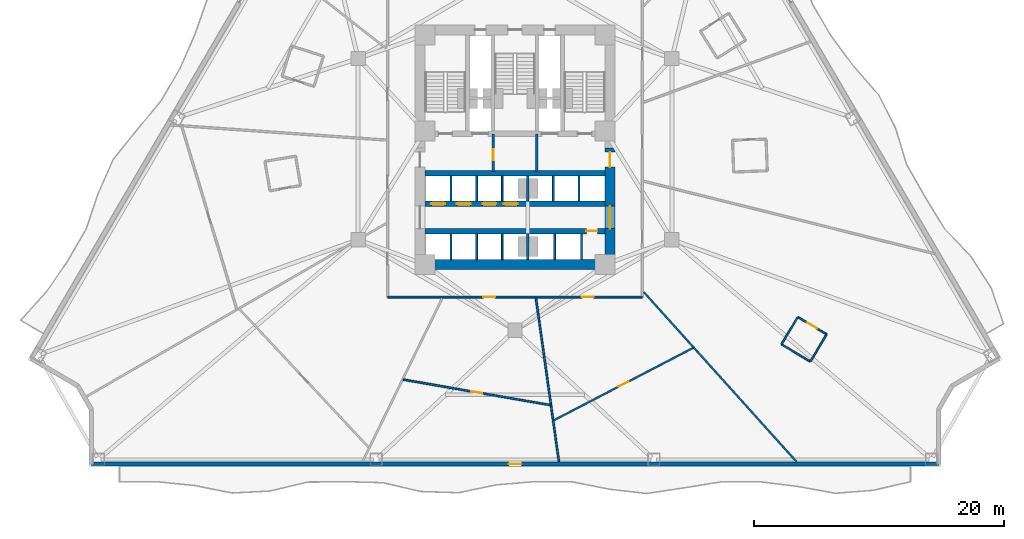
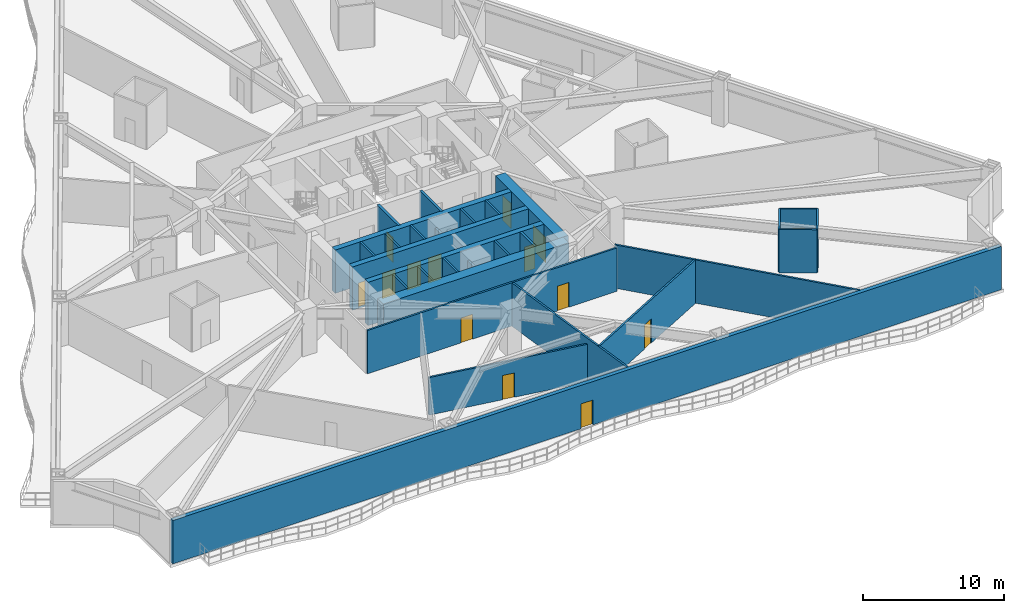
# One storey, part 4 of 12: 29 walls, 14 doors, 14 openings.
"""IFC4 building model written with IfcOpenShell, lengths in metres."""

from ifc_helpers import new_model, si_unit, direction, frame, frame_2d, origin, place, context, subcontext, project, spatial, rectangle, extrude, material, layer, layer_set, type_object, element, fill, save


model = new_model("IFC4")

# Units and contexts
model_context = context("Model", 3, precision=1e-05, world=origin(), true_north=direction((0.0, 1.0)))
body_context = subcontext(model_context, "Body", "Model", "MODEL_VIEW")
ifc_project = project(units=[si_unit("LENGTHUNIT", "METRE"), si_unit("AREAUNIT", "SQUARE_METRE"), si_unit("VOLUMEUNIT", "CUBIC_METRE"), si_unit("PLANEANGLEUNIT", "RADIAN"), si_unit("MASSUNIT", "GRAM", prefix="KILO")], contexts=[model_context])

# Site, building, storey
site_placement = place(None, origin())
site = spatial("IfcSite", under=ifc_project, at=site_placement, CompositionType="ELEMENT")
building_placement = place(site_placement, origin())
building = spatial("IfcBuilding", under=site, at=building_placement, Name="Apsidion Concourse Tower", CompositionType="ELEMENT")
storey_placement = place(building_placement, frame((0.0, 0.0, 50.39990234375)))
storey = spatial("IfcBuildingStorey", under=building, at=storey_placement, Name="L10", CompositionType="ELEMENT", Elevation=50.39990234375)

# Wall, opening, door
ifc_material_1 = material(Name="Precast concrete C40/50", Category="concrete")
ifc_layer_1 = layer(ifc_material_1, 0.320068359375)
ifc_layer_set_1 = layer_set([ifc_layer_1], Name="Precast concrete C40/50")
wall_type_1 = type_object("IfcWallType", Name="WL-EXT-320", PredefinedType="STANDARD", material=ifc_layer_set_1)
wall_1_placement = place(storey_placement, frame((33.88818359375, -25.199951171875, 0.0), z_axis=(0.0, 0.0, 1.0), x_axis=(-1.0, 0.0, 0.0)))
wall_1 = element("IfcWall", 1, at=wall_1_placement, inside=storey, type_object=wall_type_1, Name="L10 Precast Stone Facade Wall 05", PredefinedType="STANDARD", context=body_context, shape_type="SweptSolid", body=[
    extrude(rectangle(XDim=67.7763671875, YDim=0.320068359375, at=frame_2d((33.88818359375, 0.0))), origin(), (0.0, 0.0, 1.0), 3.75),
])
opening_1_placement = place(wall_1_placement, frame((33.38818359375, 0.0, 0.0)))
opening_1 = element("IfcOpeningElement", 2, at=opening_1_placement, cuts=wall_1, Name="Opening D-T1R", PredefinedType="OPENING", context=body_context, shape_type="SweptSolid", body=[
    extrude(rectangle(XDim=1.0, YDim=2.14990234375, at=frame_2d((0.5, 1.074951171875))), frame((0.0, 0.169921875, 0.0), z_axis=(0.0, -1.0, 0.0), x_axis=(1.0, 0.0, 0.0)), (0.0, 0.0, 1.0), 0.340087890625),
])
ifc_material_2 = material(Name="Anodised aluminium EN AW-6063 T6", Category="aluminium")
door_type_1 = type_object("IfcDoorType", Name="DR-TER-1022R", OperationType="SINGLE_SWING_RIGHT", PredefinedType="DOOR", material=ifc_material_2)
door_1_placement = place(opening_1_placement, origin())
door_1 = element("IfcDoor", 3, at=door_1_placement, inside=storey, type_object=door_type_1, Name="L10 Balcony Access Door 2", OperationType="SINGLE_SWING_RIGHT", OverallHeight=2.14990234375, OverallWidth=1.0, PredefinedType="DOOR", context=body_context, shape_type="SweptSolid", body=[
    extrude(rectangle(XDim=1.0, YDim=2.14990234375, at=frame_2d((0.5, 1.074951171875))), frame((0.0, 0.02490234375, 0.0), z_axis=(0.0, -1.0, 0.0), x_axis=(1.0, 0.0, 0.0)), (0.0, 0.0, 1.0), 0.050048828125),
])
fill(opening_1, door_1)

# Walls
ifc_material_3 = material(Name="Gypsum plasterboard partition")
ifc_layer_2 = layer(ifc_material_3, 0.139892578125)
ifc_layer_set_2 = layer_set([ifc_layer_2], Name="Gypsum plasterboard partition")
wall_type_2 = type_object("IfcWallType", Name="WL-INT-PAR-140", PredefinedType="PARTITIONING", material=ifc_layer_set_2)
wall_2_placement = place(storey_placement, frame((21.3369140625, -15.629150390625, 0.0), z_axis=(0.0, 0.0, 1.0), x_axis=(0.858092929116, -0.513494425482, 0.0)))
element("IfcWall", 4, at=wall_2_placement, inside=storey, type_object=wall_type_2, Name="L10 Interior Partition WL-L10-POD-ENS04-S1", PredefinedType="PARTITIONING", context=body_context, shape_type="SweptSolid", body=[
    extrude(rectangle(XDim=2.690185546875, YDim=0.139892578125, at=frame_2d((1.34521484375, 0.0))), origin(), (0.0, 0.0, 1.0), 3.75),
])
wall_3_placement = place(storey_placement, frame((23.645263671875, -17.010498046875, 0.0), z_axis=(0.0, 0.0, 1.0), x_axis=(0.51356253356, 0.858052168649, 0.0)))
element("IfcWall", 5, at=wall_3_placement, inside=storey, type_object=wall_type_2, Name="L10 Interior Partition WL-L10-POD-ENS04-S2", PredefinedType="PARTITIONING", context=body_context, shape_type="SweptSolid", body=[
    extrude(rectangle(XDim=2.5400390625, YDim=0.139892578125, at=frame_2d((1.27001953125, 0.0))), origin(), (0.0, 0.0, 1.0), 3.75),
])

# Wall, opening, door
wall_4_placement = place(storey_placement, frame((24.94970703125, -14.8310546875, 0.0), z_axis=(0.0, 0.0, 1.0), x_axis=(-0.858092929116, 0.513494425482, 0.0)))
wall_4 = element("IfcWall", 6, at=wall_4_placement, inside=storey, type_object=wall_type_2, Name="L10 Interior Partition WL-L10-POD-ENS04-S3", PredefinedType="PARTITIONING", context=body_context, shape_type="SweptSolid", body=[
    extrude(rectangle(XDim=2.690185546875, YDim=0.139892578125, at=frame_2d((1.34521484375, 0.0))), origin(), (0.0, 0.0, 1.0), 3.75),
])
opening_2_placement = place(wall_4_placement, frame((0.905029296875, 0.0, 0.0)))
opening_2 = element("IfcOpeningElement", 7, at=opening_2_placement, cuts=wall_4, Name="Opening D-03L", PredefinedType="OPENING", context=body_context, shape_type="SweptSolid", body=[
    extrude(rectangle(XDim=0.8798828125, YDim=2.10009765625, at=frame_2d((0.43994140625, 1.050048828125))), frame((0.0, 0.080078125, 0.0), z_axis=(0.0, -1.0, 0.0), x_axis=(1.0, 0.0, 0.0)), (0.0, 0.0, 1.0), 0.159912109375),
])
door_type_2 = type_object("IfcDoorType", Name="DR-INT-D03L", OperationType="SINGLE_SWING_LEFT", PredefinedType="DOOR", material=ifc_material_2)
door_2_placement = place(opening_2_placement, origin())
door_2 = element("IfcDoor", 8, at=door_2_placement, inside=storey, type_object=door_type_2, Name="L10 Guest En-Suite Bathroom Door ENS04", OperationType="SINGLE_SWING_LEFT", OverallHeight=2.10009765625, OverallWidth=0.8798828125, PredefinedType="DOOR", context=body_context, shape_type="SweptSolid", body=[
    extrude(rectangle(XDim=0.8798828125, YDim=2.10009765625, at=frame_2d((0.43994140625, 1.050048828125))), frame((0.0, 0.02490234375, 0.0), z_axis=(0.0, -1.0, 0.0), x_axis=(1.0, 0.0, 0.0)), (0.0, 0.0, 1.0), 0.050048828125),
])
fill(opening_2, door_2)

# Walls
wall_5_placement = place(storey_placement, frame((22.641357421875, -13.44970703125, 0.0), z_axis=(0.0, 0.0, 1.0), x_axis=(-0.51356253356, -0.858052168649, 0.0)))
element("IfcWall", 9, at=wall_5_placement, inside=storey, type_object=wall_type_2, Name="L10 Interior Partition WL-L10-POD-ENS04-S4", PredefinedType="PARTITIONING", context=body_context, shape_type="SweptSolid", body=[
    extrude(rectangle(XDim=2.5400390625, YDim=0.139892578125, at=frame_2d((1.27001953125, 0.0))), origin(), (0.0, 0.0, 1.0), 3.75),
])
ifc_layer_3 = layer(ifc_material_3, 0.14990234375)
ifc_layer_set_3 = layer_set([ifc_layer_3], Name="Gypsum plasterboard partition")
wall_type_3 = type_object("IfcWallType", Name="WL-INT-PAR-150", PredefinedType="PARTITIONING", material=ifc_layer_set_3)
for number, where, z_axis, x_axis, name in (
    (10, (-5.125, -4.179931640625, 0.0), (0.0, 0.0, 1.0), (0.0, 1.0, 0.0), "L10 Interior Partition WL-L10-B1DIV-1"),
    (11, (-3.074951171875, -4.179931640625, 0.0), (0.0, 0.0, 1.0), (0.0, 1.0, 0.0), "L10 Interior Partition WL-L10-B1DIV-2"),
    (12, (-1.02490234375, -4.179931640625, 0.0), (0.0, 0.0, 1.0), (0.0, 1.0, 0.0), "L10 Interior Partition WL-L10-B1DIV-3"),
    (13, (3.074951171875, -4.179931640625, 0.0), (0.0, 0.0, 1.0), (0.0, 1.0, 0.0), "L10 Interior Partition WL-L10-B3DIV-1"),
    (14, (5.125, -4.179931640625, 0.0), (0.0, 0.0, 1.0), (0.0, 1.0, 0.0), "L10 Interior Partition WL-L10-B3DIV-2"),
):
    element("IfcWall", number, at=place(storey_placement, frame(where, z_axis=z_axis, x_axis=x_axis)), inside=storey, type_object=wall_type_3, Name=name, PredefinedType="PARTITIONING", context=body_context, shape_type="SweptSolid", body=[
        extrude(rectangle(XDim=2.030029296875, YDim=0.14990234375, at=frame_2d((1.01513671875, 0.0))), origin(), (0.0, 0.0, 1.0), 3.75),
    ])
for number, where, z_axis, x_axis, name in (
    (15, (-5.125, -8.85009765625, 0.0), (0.0, 0.0, 1.0), (0.0, 1.0, 0.0), "L10 Interior Partition WL-L10-B2DIV-1"),
    (16, (-3.074951171875, -8.85009765625, 0.0), (0.0, 0.0, 1.0), (0.0, 1.0, 0.0), "L10 Interior Partition WL-L10-B2DIV-2"),
    (17, (-1.02490234375, -8.85009765625, 0.0), (0.0, 0.0, 1.0), (0.0, 1.0, 0.0), "L10 Interior Partition WL-L10-B2DIV-3"),
    (18, (3.175048828125, -8.85009765625, 0.0), (0.0, 0.0, 1.0), (0.0, 1.0, 0.0), "L10 Interior Partition WL-L10-SHDIV-1"),
):
    element("IfcWall", number, at=place(storey_placement, frame(where, z_axis=z_axis, x_axis=x_axis)), inside=storey, type_object=wall_type_3, Name=name, PredefinedType="PARTITIONING", context=body_context, shape_type="SweptSolid", body=[
        extrude(rectangle(XDim=2.080078125, YDim=0.14990234375, at=frame_2d((1.0400390625, 0.0))), origin(), (0.0, 0.0, 1.0), 3.75),
    ])

# Wall, openings, doors
wall_6_placement = place(storey_placement, frame((10.199951171875, -11.85009765625, 0.0), z_axis=(0.0, 0.0, 1.0), x_axis=(-1.0, 0.0, 0.0)))
wall_6 = element("IfcWall", 19, at=wall_6_placement, inside=storey, type_object=wall_type_3, Name="L10 Interior Partition WL-L10-CORR-03", PredefinedType="PARTITIONING", context=body_context, shape_type="SweptSolid", body=[
    extrude(rectangle(XDim=20.39990234375, YDim=0.14990234375, at=frame_2d((10.199951171875, 0.0))), origin(), (0.0, 0.0, 1.0), 3.75),
])
opening_3_placement = place(wall_6_placement, frame((11.795654296875, 0.0, 0.0)))
opening_3 = element("IfcOpeningElement", 20, at=opening_3_placement, cuts=wall_6, Name="Opening D-01L", PredefinedType="OPENING", context=body_context, shape_type="SweptSolid", body=[
    extrude(rectangle(XDim=0.949951171875, YDim=2.14990234375, at=frame_2d((0.47509765625, 1.074951171875))), frame((0.0, 0.0849609375, 0.0), z_axis=(0.0, -1.0, 0.0), x_axis=(1.0, 0.0, 0.0)), (0.0, 0.0, 1.0), 0.169921875),
])
opening_4_placement = place(wall_6_placement, frame((3.9130859375, 0.0, 0.0)))
opening_4 = element("IfcOpeningElement", 21, at=opening_4_placement, cuts=wall_6, Name="Opening D-01R", PredefinedType="OPENING", context=body_context, shape_type="SweptSolid", body=[
    extrude(rectangle(XDim=0.949951171875, YDim=2.14990234375, at=frame_2d((0.47509765625, 1.074951171875))), frame((0.0, 0.0849609375, 0.0), z_axis=(0.0, -1.0, 0.0), x_axis=(1.0, 0.0, 0.0)), (0.0, 0.0, 1.0), 0.169921875),
])
ifc_material_4 = material(Name="Brushed stainless steel 316", Category="steel")
door_type_3 = type_object("IfcDoorType", Name="DR-INT-D01L", OperationType="SINGLE_SWING_LEFT", PredefinedType="DOOR", material=ifc_material_4)
door_3_placement = place(opening_3_placement, origin())
door_3 = element("IfcDoor", 22, at=door_3_placement, inside=storey, type_object=door_type_3, Name="L10 Corridor Entry Door 03", OperationType="SINGLE_SWING_LEFT", OverallHeight=2.14990234375, OverallWidth=0.949951171875, PredefinedType="DOOR", context=body_context, shape_type="SweptSolid", body=[
    extrude(rectangle(XDim=0.949951171875, YDim=2.14990234375, at=frame_2d((0.47509765625, 1.074951171875))), frame((0.0, 0.02490234375, 0.0), z_axis=(0.0, -1.0, 0.0), x_axis=(1.0, 0.0, 0.0)), (0.0, 0.0, 1.0), 0.050048828125),
])
fill(opening_3, door_3)
door_type_4 = type_object("IfcDoorType", Name="DR-INT-D01R", OperationType="SINGLE_SWING_RIGHT", PredefinedType="DOOR", material=ifc_material_4)
door_4_placement = place(opening_4_placement, origin())
door_4 = element("IfcDoor", 23, at=door_4_placement, inside=storey, type_object=door_type_4, Name="L10 Corridor Entry Door 04", OperationType="SINGLE_SWING_RIGHT", OverallHeight=2.14990234375, OverallWidth=0.949951171875, PredefinedType="DOOR", context=body_context, shape_type="SweptSolid", body=[
    extrude(rectangle(XDim=0.949951171875, YDim=2.14990234375, at=frame_2d((0.47509765625, 1.074951171875))), frame((0.0, 0.02490234375, 0.0), z_axis=(0.0, -1.0, 0.0), x_axis=(1.0, 0.0, 0.0)), (0.0, 0.0, 1.0), 0.050048828125),
])
fill(opening_4, door_4)

# Walls
wall_7_placement = place(storey_placement, frame((1.68017578125, -11.955078125, 0.0), z_axis=(0.0, 0.0, 1.0), x_axis=(0.139178306215, -0.990267337177, 0.0)))
element("IfcWall", 24, at=wall_7_placement, inside=storey, type_object=wall_type_3, Name="L10 Interior Partition WL-L10-RAD-09-1", PredefinedType="PARTITIONING", context=body_context, shape_type="SweptSolid", body=[
    extrude(rectangle(XDim=13.1982421875, YDim=0.14990234375, at=frame_2d((6.59912109375, 0.0))), origin(), (0.0, 0.0, 1.0), 3.75),
])
wall_8_placement = place(storey_placement, frame((10.304931640625, -11.44482421875, 0.0), z_axis=(0.0, 0.0, 1.0), x_axis=(0.669137434477, -0.743138677355, 0.0)))
element("IfcWall", 25, at=wall_8_placement, inside=storey, type_object=wall_type_3, Name="L10 Interior Partition WL-L10-RAD-10-1", PredefinedType="PARTITIONING", context=body_context, shape_type="SweptSolid", body=[
    extrude(rectangle(XDim=18.27392578125, YDim=0.14990234375, at=frame_2d((9.136962890625, 0.0))), origin(), (0.0, 0.0, 1.0), 3.75),
])

# Wall, opening, door
wall_9_placement = place(storey_placement, frame((-8.97216796875, -18.45263671875, 0.0), z_axis=(0.0, 0.0, 1.0), x_axis=(0.985300581804, -0.170829632957, 0.0)))
wall_9 = element("IfcWall", 26, at=wall_9_placement, inside=storey, type_object=wall_type_3, Name="L10 Interior Partition WL-L10-CHD-HXS02", PredefinedType="PARTITIONING", context=body_context, shape_type="SweptSolid", body=[
    extrude(rectangle(XDim=12.0048828125, YDim=0.14990234375, at=frame_2d((6.00244140625, 0.0))), origin(), (0.0, 0.0, 1.0), 3.254150390625),
])
opening_5_placement = place(wall_9_placement, frame((5.552490234375, 0.0, 0.0)))
opening_5 = element("IfcOpeningElement", 27, at=opening_5_placement, cuts=wall_9, Name="Opening D-02R", PredefinedType="OPENING", context=body_context, shape_type="SweptSolid", body=[
    extrude(rectangle(XDim=0.89990234375, YDim=2.10009765625, at=frame_2d((0.449951171875, 1.050048828125))), frame((0.0, 0.0849609375, 0.0), z_axis=(0.0, -1.0, 0.0), x_axis=(1.0, 0.0, 0.0)), (0.0, 0.0, 1.0), 0.169921875),
])
door_type_5 = type_object("IfcDoorType", Name="DR-INT-D02R", OperationType="SINGLE_SWING_RIGHT", PredefinedType="DOOR", material=ifc_material_2)
door_5_placement = place(opening_5_placement, origin())
door_5 = element("IfcDoor", 28, at=door_5_placement, inside=storey, type_object=door_type_5, Name="L10 Suite Connecting Door HXS02", OperationType="SINGLE_SWING_RIGHT", OverallHeight=2.10009765625, OverallWidth=0.89990234375, PredefinedType="DOOR", context=body_context, shape_type="SweptSolid", body=[
    extrude(rectangle(XDim=0.89990234375, YDim=2.10009765625, at=frame_2d((0.449951171875, 1.050048828125))), frame((0.0, 0.02490234375, 0.0), z_axis=(0.0, -1.0, 0.0), x_axis=(1.0, 0.0, 0.0)), (0.0, 0.0, 1.0), 0.050048828125),
])
fill(opening_5, door_5)

wall_10_placement = place(storey_placement, frame((3.079345703125, -21.731689453125, 0.0), z_axis=(0.0, 0.0, 1.0), x_axis=(0.887285458414, 0.461220679596, 0.0)))
wall_10 = element("IfcWall", 29, at=wall_10_placement, inside=storey, type_object=wall_type_3, Name="L10 Interior Partition WL-L10-CHD-HXS03", PredefinedType="PARTITIONING", context=body_context, shape_type="SweptSolid", body=[
    extrude(rectangle(XDim=12.632080078125, YDim=0.14990234375, at=frame_2d((6.31591796875, 0.0))), origin(), (0.0, 0.0, 1.0), 3.75),
])
opening_6_placement = place(wall_10_placement, frame((5.865966796875, 0.0, 0.0)))
opening_6 = element("IfcOpeningElement", 30, at=opening_6_placement, cuts=wall_10, Name="Opening D-02L", PredefinedType="OPENING", context=body_context, shape_type="SweptSolid", body=[
    extrude(rectangle(XDim=0.89990234375, YDim=2.10009765625, at=frame_2d((0.449951171875, 1.050048828125))), frame((0.0, 0.0849609375, 0.0), z_axis=(0.0, -1.0, 0.0), x_axis=(1.0, 0.0, 0.0)), (0.0, 0.0, 1.0), 0.169921875),
])
door_type_6 = type_object("IfcDoorType", Name="DR-INT-D02L", OperationType="SINGLE_SWING_LEFT", PredefinedType="DOOR", material=ifc_material_2)
door_6_placement = place(opening_6_placement, origin())
door_6 = element("IfcDoor", 31, at=door_6_placement, inside=storey, type_object=door_type_6, Name="L10 Suite Connecting Door HXS03", OperationType="SINGLE_SWING_LEFT", OverallHeight=2.10009765625, OverallWidth=0.89990234375, PredefinedType="DOOR", context=body_context, shape_type="SweptSolid", body=[
    extrude(rectangle(XDim=0.89990234375, YDim=2.10009765625, at=frame_2d((0.449951171875, 1.050048828125))), frame((0.0, 0.02490234375, 0.0), z_axis=(0.0, -1.0, 0.0), x_axis=(1.0, 0.0, 0.0)), (0.0, 0.0, 1.0), 0.050048828125),
])
fill(opening_6, door_6)

# Walls
ifc_layer_4 = layer(ifc_material_3, 0.179931640625)
ifc_layer_set_4 = layer_set([ifc_layer_4], Name="Gypsum plasterboard partition")
wall_type_4 = type_object("IfcWallType", Name="WL-INT-PAR-180", PredefinedType="PARTITIONING", material=ifc_layer_set_4)
wall_11_placement = place(storey_placement, frame((1.02490234375, -4.179931640625, 0.0), z_axis=(0.0, 0.0, 1.0), x_axis=(0.0, 1.0, 0.0)))
element("IfcWall", 32, at=wall_11_placement, inside=storey, type_object=wall_type_4, Name="L10 Interior Partition WL-L10-B1END", PredefinedType="PARTITIONING", context=body_context, shape_type="SweptSolid", body=[
    extrude(rectangle(XDim=2.030029296875, YDim=0.179931640625, at=frame_2d((1.01513671875, 0.0))), origin(), (0.0, 0.0, 1.0), 2.798095703125),
])
wall_12_placement = place(storey_placement, frame((1.02490234375, -8.85009765625, 0.0), z_axis=(0.0, 0.0, 1.0), x_axis=(0.0, 1.0, 0.0)))
element("IfcWall", 33, at=wall_12_placement, inside=storey, type_object=wall_type_4, Name="L10 Interior Partition WL-L10-B2END", PredefinedType="PARTITIONING", context=body_context, shape_type="SweptSolid", body=[
    extrude(rectangle(XDim=2.080078125, YDim=0.179931640625, at=frame_2d((1.0400390625, 0.0))), origin(), (0.0, 0.0, 1.0), 2.798095703125),
])
wall_13_placement = place(storey_placement, frame((5.324951171875, -8.85009765625, 0.0), z_axis=(0.0, 0.0, 1.0), x_axis=(0.0, 1.0, 0.0)))
element("IfcWall", 34, at=wall_13_placement, inside=storey, type_object=wall_type_4, Name="L10 Interior Partition WL-L10-SHDIV-2", PredefinedType="PARTITIONING", context=body_context, shape_type="SweptSolid", body=[
    extrude(rectangle(XDim=2.080078125, YDim=0.179931640625, at=frame_2d((1.0400390625, 0.0))), origin(), (0.0, 0.0, 1.0), 3.75),
])

# Wall, opening, door
ifc_layer_5 = layer(ifc_material_3, 0.199951171875)
ifc_layer_set_5 = layer_set([ifc_layer_5], Name="Gypsum plasterboard partition")
wall_type_5 = type_object("IfcWallType", Name="WL-INT-PAR-200", PredefinedType="PARTITIONING", material=ifc_layer_set_5)
wall_14_placement = place(storey_placement, frame((-1.739990234375, -1.780029296875, 0.0), z_axis=(0.0, 0.0, 1.0), x_axis=(0.0, 1.0, 0.0)))
wall_14 = element("IfcWall", 35, at=wall_14_placement, inside=storey, type_object=wall_type_5, Name="L10 Interior Partition WL-L10-FF1-E", PredefinedType="PARTITIONING", context=body_context, shape_type="SweptSolid", body=[
    extrude(rectangle(XDim=2.97998046875, YDim=0.199951171875, at=frame_2d((1.489990234375, 0.0))), origin(), (0.0, 0.0, 1.0), 3.75),
])
opening_7_placement = place(wall_14_placement, frame((0.889892578125, 0.0, 0.0)))
opening_7 = element("IfcOpeningElement", 36, at=opening_7_placement, cuts=wall_14, Name="Opening D-05R", PredefinedType="OPENING", context=body_context, shape_type="SweptSolid", body=[
    extrude(rectangle(XDim=0.8798828125, YDim=2.14990234375, at=frame_2d((0.43994140625, 1.074951171875))), frame((0.0, 0.10986328125, 0.0), z_axis=(0.0, -1.0, 0.0), x_axis=(1.0, 0.0, 0.0)), (0.0, 0.0, 1.0), 0.219970703125),
])
door_type_7 = type_object("IfcDoorType", Name="DR-INT-D05R", OperationType="SINGLE_SWING_RIGHT", PredefinedType="DOOR", material=ifc_material_4)
door_7_placement = place(opening_7_placement, origin())
door_7 = element("IfcDoor", 37, at=door_7_placement, inside=storey, type_object=door_type_7, Name="L10 Core BMS Door", OperationType="SINGLE_SWING_RIGHT", OverallHeight=2.14990234375, OverallWidth=0.8798828125, PredefinedType="DOOR", context=body_context, shape_type="SweptSolid", body=[
    extrude(rectangle(XDim=0.8798828125, YDim=2.14990234375, at=frame_2d((0.43994140625, 1.074951171875))), frame((0.0, 0.02490234375, 0.0), z_axis=(0.0, -1.0, 0.0), x_axis=(1.0, 0.0, 0.0)), (0.0, 0.0, 1.0), 0.050048828125),
])
fill(opening_7, door_7)

# Walls
wall_15_placement = place(storey_placement, frame((1.739990234375, -1.780029296875, 0.0), z_axis=(0.0, 0.0, 1.0), x_axis=(0.0, 1.0, 0.0)))
element("IfcWall", 38, at=wall_15_placement, inside=storey, type_object=wall_type_5, Name="L10 Interior Partition WL-L10-FF2-W", PredefinedType="PARTITIONING", context=body_context, shape_type="SweptSolid", body=[
    extrude(rectangle(XDim=2.97998046875, YDim=0.199951171875, at=frame_2d((1.489990234375, 0.0))), origin(), (0.0, 0.0, 1.0), 3.75),
])
ifc_material_5 = material(Name="Concrete C60/75", Category="concrete")
ifc_layer_6 = layer(ifc_material_5, 0.449951171875)
ifc_layer_set_6 = layer_set([ifc_layer_6], Name="Concrete C60/75")
wall_type_6 = type_object("IfcWallType", Name="WL-SH-450", PredefinedType="SHEAR", material=ifc_layer_set_6)
wall_16_placement = place(storey_placement, frame((-7.199951171875, -1.949951171875, 0.0), z_axis=(0.0, 0.0, 1.0), x_axis=(1.0, 0.0, 0.0)))
element("IfcWall", 39, at=wall_16_placement, inside=storey, type_object=wall_type_6, Name="L10 Central Core Shear Wall M2", PredefinedType="SHEAR", context=body_context, shape_type="SweptSolid", body=[
    extrude(rectangle(XDim=14.39990234375, YDim=0.449951171875, at=frame_2d((7.199951171875, 0.0))), origin(), (0.0, 0.0, 1.0), 3.75),
])

# Wall, openings, doors
wall_17_placement = place(storey_placement, frame((-7.199951171875, -4.3798828125, 0.0), z_axis=(0.0, 0.0, 1.0), x_axis=(1.0, 0.0, 0.0)))
wall_17 = element("IfcWall", 40, at=wall_17_placement, inside=storey, type_object=wall_type_6, Name="L10 Central Core Shear Wall LA", PredefinedType="SHEAR", context=body_context, shape_type="SweptSolid", body=[
    extrude(rectangle(XDim=14.39990234375, YDim=0.449951171875, at=frame_2d((7.199951171875, 0.0))), origin(), (0.0, 0.0, 1.0), 3.75),
])
opening_8_placement = place(wall_17_placement, frame((0.5, 0.0, 0.0)))
opening_8 = element("IfcOpeningElement", 41, at=opening_8_placement, cuts=wall_17, Name="Opening LD-P1", PredefinedType="OPENING", context=body_context, shape_type="SweptSolid", body=[
    extrude(rectangle(XDim=1.10009765625, YDim=2.199951171875, at=frame_2d((0.550048828125, 1.10009765625))), frame((0.0, 0.23486328125, 0.0), z_axis=(0.0, -1.0, 0.0), x_axis=(1.0, 0.0, 0.0)), (0.0, 0.0, 1.0), 0.469970703125),
])
opening_9_placement = place(wall_17_placement, frame((2.550048828125, 0.0, 0.0)))
opening_9 = element("IfcOpeningElement", 42, at=opening_9_placement, cuts=wall_17, Name="Opening LD-P1", PredefinedType="OPENING", context=body_context, shape_type="SweptSolid", body=[
    extrude(rectangle(XDim=1.10009765625, YDim=2.199951171875, at=frame_2d((0.550048828125, 1.10009765625))), frame((0.0, 0.23486328125, 0.0), z_axis=(0.0, -1.0, 0.0), x_axis=(1.0, 0.0, 0.0)), (0.0, 0.0, 1.0), 0.469970703125),
])
opening_10_placement = place(wall_17_placement, frame((4.60009765625, 0.0, 0.0)))
opening_10 = element("IfcOpeningElement", 43, at=opening_10_placement, cuts=wall_17, Name="Opening LD-P1", PredefinedType="OPENING", context=body_context, shape_type="SweptSolid", body=[
    extrude(rectangle(XDim=1.10009765625, YDim=2.199951171875, at=frame_2d((0.550048828125, 1.10009765625))), frame((0.0, 0.23486328125, 0.0), z_axis=(0.0, -1.0, 0.0), x_axis=(1.0, 0.0, 0.0)), (0.0, 0.0, 1.0), 0.469970703125),
])
opening_11_placement = place(wall_17_placement, frame((6.300048828125, 0.0, 0.0)))
opening_11 = element("IfcOpeningElement", 44, at=opening_11_placement, cuts=wall_17, Name="Opening LD-P1", PredefinedType="OPENING", context=body_context, shape_type="SweptSolid", body=[
    extrude(rectangle(XDim=1.10009765625, YDim=2.199951171875, at=frame_2d((0.550048828125, 1.10009765625))), frame((0.0, 0.23486328125, 0.0), z_axis=(0.0, -1.0, 0.0), x_axis=(1.0, 0.0, 0.0)), (0.0, 0.0, 1.0), 0.469970703125),
])
door_type_8 = type_object("IfcDoorType", Name="DR-LD-PASS", OperationType="DOUBLE_DOOR_SLIDING", PredefinedType="DOOR", material=ifc_material_4)
door_8_placement = place(opening_8_placement, origin())
door_8 = element("IfcDoor", 45, at=door_8_placement, inside=storey, type_object=door_type_8, Name="L10 Lift Landing Door P1", OperationType="DOUBLE_DOOR_SLIDING", OverallHeight=2.199951171875, OverallWidth=1.10009765625, PredefinedType="DOOR", context=body_context, shape_type="SweptSolid", body=[
    extrude(rectangle(XDim=1.10009765625, YDim=2.199951171875, at=frame_2d((0.550048828125, 1.10009765625))), frame((0.0, 0.02490234375, 0.0), z_axis=(0.0, -1.0, 0.0), x_axis=(1.0, 0.0, 0.0)), (0.0, 0.0, 1.0), 0.050048828125),
])
fill(opening_8, door_8)
door_9_placement = place(opening_9_placement, origin())
door_9 = element("IfcDoor", 46, at=door_9_placement, inside=storey, type_object=door_type_8, Name="L10 Lift Landing Door P2", OperationType="DOUBLE_DOOR_SLIDING", OverallHeight=2.199951171875, OverallWidth=1.10009765625, PredefinedType="DOOR", context=body_context, shape_type="SweptSolid", body=[
    extrude(rectangle(XDim=1.10009765625, YDim=2.199951171875, at=frame_2d((0.550048828125, 1.10009765625))), frame((0.0, 0.02490234375, 0.0), z_axis=(0.0, -1.0, 0.0), x_axis=(1.0, 0.0, 0.0)), (0.0, 0.0, 1.0), 0.050048828125),
])
fill(opening_9, door_9)
door_10_placement = place(opening_10_placement, origin())
door_10 = element("IfcDoor", 47, at=door_10_placement, inside=storey, type_object=door_type_8, Name="L10 Lift Landing Door P3", OperationType="DOUBLE_DOOR_SLIDING", OverallHeight=2.199951171875, OverallWidth=1.10009765625, PredefinedType="DOOR", context=body_context, shape_type="SweptSolid", body=[
    extrude(rectangle(XDim=1.10009765625, YDim=2.199951171875, at=frame_2d((0.550048828125, 1.10009765625))), frame((0.0, 0.02490234375, 0.0), z_axis=(0.0, -1.0, 0.0), x_axis=(1.0, 0.0, 0.0)), (0.0, 0.0, 1.0), 0.050048828125),
])
fill(opening_10, door_10)
door_11_placement = place(opening_11_placement, origin())
door_11 = element("IfcDoor", 48, at=door_11_placement, inside=storey, type_object=door_type_8, Name="L10 Lift Landing Door P4", OperationType="DOUBLE_DOOR_SLIDING", OverallHeight=2.199951171875, OverallWidth=1.10009765625, PredefinedType="DOOR", context=body_context, shape_type="SweptSolid", body=[
    extrude(rectangle(XDim=1.10009765625, YDim=2.199951171875, at=frame_2d((0.550048828125, 1.10009765625))), frame((0.0, 0.02490234375, 0.0), z_axis=(0.0, -1.0, 0.0), x_axis=(1.0, 0.0, 0.0)), (0.0, 0.0, 1.0), 0.050048828125),
])
fill(opening_11, door_11)

# Wall, opening, door
wall_18_placement = place(storey_placement, frame((-7.199951171875, -6.570068359375, 0.0), z_axis=(0.0, 0.0, 1.0), x_axis=(1.0, 0.0, 0.0)))
wall_18 = element("IfcWall", 49, at=wall_18_placement, inside=storey, type_object=wall_type_6, Name="L10 Central Core Shear Wall LB", PredefinedType="SHEAR", context=body_context, shape_type="SweptSolid", body=[
    extrude(rectangle(XDim=14.39990234375, YDim=0.449951171875, at=frame_2d((7.199951171875, 0.0))), origin(), (0.0, 0.0, 1.0), 3.75),
])
opening_12_placement = place(wall_18_placement, frame((12.909912109375, 0.0, 0.0)))
opening_12 = element("IfcOpeningElement", 50, at=opening_12_placement, cuts=wall_18, Name="Opening D-05L", PredefinedType="OPENING", context=body_context, shape_type="SweptSolid", body=[
    extrude(rectangle(XDim=0.8798828125, YDim=2.14990234375, at=frame_2d((0.43994140625, 1.074951171875))), frame((0.0, 0.23486328125, 0.0), z_axis=(0.0, -1.0, 0.0), x_axis=(1.0, 0.0, 0.0)), (0.0, 0.0, 1.0), 0.469970703125),
])
door_type_9 = type_object("IfcDoorType", Name="DR-INT-D05L", OperationType="SINGLE_SWING_LEFT", PredefinedType="DOOR", material=ifc_material_4)
door_12_placement = place(opening_12_placement, origin())
door_12 = element("IfcDoor", 51, at=door_12_placement, inside=storey, type_object=door_type_9, Name="L10 Cleaners Store Door", OperationType="SINGLE_SWING_LEFT", OverallHeight=2.14990234375, OverallWidth=0.8798828125, PredefinedType="DOOR", context=body_context, shape_type="SweptSolid", body=[
    extrude(rectangle(XDim=0.8798828125, YDim=2.14990234375, at=frame_2d((0.43994140625, 1.074951171875))), frame((0.0, 0.02490234375, 0.0), z_axis=(0.0, -1.0, 0.0), x_axis=(1.0, 0.0, 0.0)), (0.0, 0.0, 1.0), 0.050048828125),
])
fill(opening_12, door_12)

# Wall, openings, doors
ifc_layer_7 = layer(ifc_material_5, 0.800048828125)
ifc_layer_set_7 = layer_set([ifc_layer_7], Name="Concrete C60/75")
wall_type_7 = type_object("IfcWallType", Name="WL-SH-800", PredefinedType="SHEAR", material=ifc_layer_set_7)
wall_19_placement = place(storey_placement, frame((7.60009765625, -8.85009765625, 0.0), z_axis=(0.0, 0.0, 1.0), x_axis=(0.0, 1.0, 0.0)))
wall_19 = element("IfcWall", 52, at=wall_19_placement, inside=storey, type_object=wall_type_7, Name="L10 Central Core Shear Wall ES", PredefinedType="SHEAR", context=body_context, shape_type="SweptSolid", body=[
    extrude(rectangle(XDim=8.9501953125, YDim=0.800048828125, at=frame_2d((4.47509765625, 0.0))), origin(), (0.0, 0.0, 1.0), 3.75),
])
opening_13_placement = place(wall_19_placement, frame((2.489990234375, 0.0, 0.0)))
opening_13 = element("IfcOpeningElement", 53, at=opening_13_placement, cuts=wall_19, Name="Opening D-06D", PredefinedType="OPENING", context=body_context, shape_type="SweptSolid", body=[
    extrude(rectangle(XDim=1.800048828125, YDim=2.199951171875, at=frame_2d((0.89990234375, 1.10009765625))), frame((0.0, 0.41015625, 0.0), z_axis=(0.0, -1.0, 0.0), x_axis=(1.0, 0.0, 0.0)), (0.0, 0.0, 1.0), 0.820068359375),
])
opening_14_placement = place(wall_19_placement, frame((7.39990234375, 0.0, 0.0)))
opening_14 = element("IfcOpeningElement", 54, at=opening_14_placement, cuts=wall_19, Name="Opening D-FFR", PredefinedType="OPENING", context=body_context, shape_type="SweptSolid", body=[
    extrude(rectangle(XDim=1.199951171875, YDim=2.14990234375, at=frame_2d((0.60009765625, 1.074951171875))), frame((0.0, 0.41015625, 0.0), z_axis=(0.0, -1.0, 0.0), x_axis=(1.0, 0.0, 0.0)), (0.0, 0.0, 1.0), 0.820068359375),
])
door_type_10 = type_object("IfcDoorType", Name="DR-INT-D06D", OperationType="DOUBLE_DOOR_SINGLE_SWING", PredefinedType="DOOR", material=ifc_material_4)
door_13_placement = place(opening_13_placement, origin())
door_13 = element("IfcDoor", 55, at=door_13_placement, inside=storey, type_object=door_type_10, Name="L10 Passenger Lift Lobby ES Portal Door", OperationType="DOUBLE_DOOR_SINGLE_SWING", OverallHeight=2.199951171875, OverallWidth=1.800048828125, PredefinedType="DOOR", context=body_context, shape_type="SweptSolid", body=[
    extrude(rectangle(XDim=1.800048828125, YDim=2.199951171875, at=frame_2d((0.89990234375, 1.10009765625))), frame((0.0, 0.02490234375, 0.0), z_axis=(0.0, -1.0, 0.0), x_axis=(1.0, 0.0, 0.0)), (0.0, 0.0, 1.0), 0.050048828125),
])
fill(opening_13, door_13)
door_type_11 = type_object("IfcDoorType", Name="DR-INT-FFR", OperationType="SINGLE_SWING_RIGHT", PredefinedType="DOOR", material=ifc_material_4)
door_14_placement = place(opening_14_placement, origin())
door_14 = element("IfcDoor", 56, at=door_14_placement, inside=storey, type_object=door_type_11, Name="L10 Firefighting Lift Lobby FF2 Door", OperationType="SINGLE_SWING_RIGHT", OverallHeight=2.14990234375, OverallWidth=1.199951171875, PredefinedType="DOOR", context=body_context, shape_type="SweptSolid", body=[
    extrude(rectangle(XDim=1.199951171875, YDim=2.14990234375, at=frame_2d((0.60009765625, 1.074951171875))), frame((0.0, 0.02490234375, 0.0), z_axis=(0.0, -1.0, 0.0), x_axis=(1.0, 0.0, 0.0)), (0.0, 0.0, 1.0), 0.050048828125),
])
fill(opening_14, door_14)

# Wall
wall_20_placement = place(storey_placement, frame((-7.60009765625, -9.25, 0.0), z_axis=(0.0, 0.0, 1.0), x_axis=(1.0, 0.0, 0.0)))
element("IfcWall", 57, at=wall_20_placement, inside=storey, type_object=wall_type_7, Name="L10 Central Core Shear Wall S", PredefinedType="SHEAR", context=body_context, shape_type="SweptSolid", body=[
    extrude(rectangle(XDim=15.2001953125, YDim=0.800048828125, at=frame_2d((7.60009765625, 0.0))), origin(), (0.0, 0.0, 1.0), 3.75),
])

save(model, "model.ifc")
